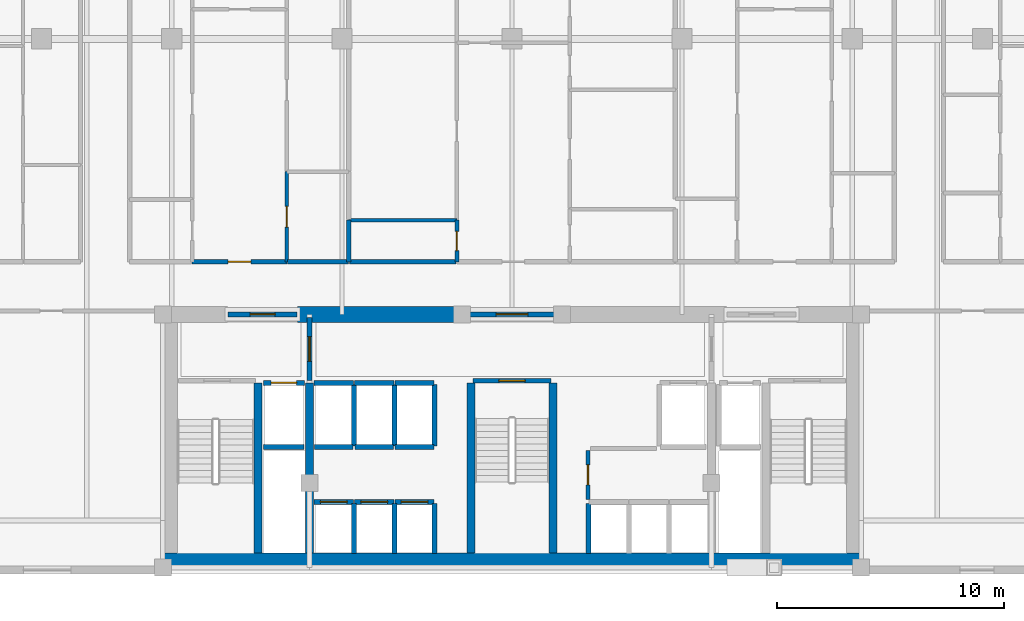
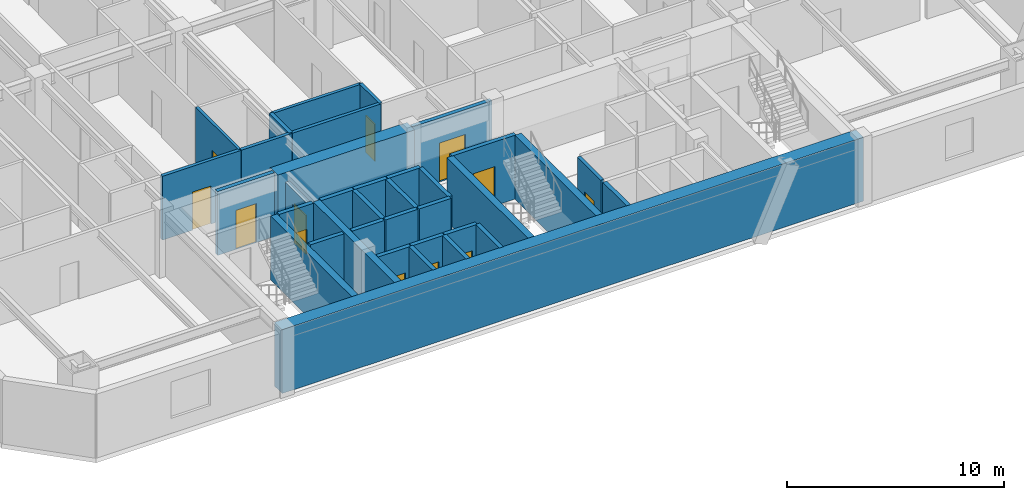
# One storey, part 7 of 14: 36 walls, 12 doors, 12 openings.
"""IFC4 building model written with IfcOpenShell, lengths in metres."""

from ifc_helpers import new_model, si_unit, direction, frame, frame_2d, origin, place, context, subcontext, project, spatial, rectangle, extrude, material, layer, layer_set, type_object, element, fill, save


model = new_model("IFC4")

# Units and contexts
model_context = context("Model", 3, precision=1e-05, world=origin(), true_north=direction((0.0, 1.0)))
body_context = subcontext(model_context, "Body", "Model", "MODEL_VIEW")
ifc_project = project(units=[si_unit("LENGTHUNIT", "METRE"), si_unit("AREAUNIT", "SQUARE_METRE"), si_unit("VOLUMEUNIT", "CUBIC_METRE"), si_unit("PLANEANGLEUNIT", "RADIAN"), si_unit("MASSUNIT", "GRAM", prefix="KILO")], contexts=[model_context])

# Site, building, storey
site_placement = place(None, origin())
site = spatial("IfcSite", under=ifc_project, at=site_placement, CompositionType="ELEMENT")
building_placement = place(site_placement, origin())
building = spatial("IfcBuilding", under=site, at=building_placement, Name="Ventersveld Concourse Tower", CompositionType="ELEMENT")
storey_placement = place(building_placement, frame((0.0, 0.0, 81.050048828125)))
storey = spatial("IfcBuildingStorey", under=building, at=storey_placement, Name="L19", CompositionType="ELEMENT", Elevation=81.050048828125)

# Walls
ifc_material_1 = material(Name="Concrete C60/75", Category="concrete")
ifc_layer_1 = layer(ifc_material_1, 0.35009765625)
ifc_layer_set_1 = layer_set([ifc_layer_1], Name="Concrete C60/75")
wall_type_1 = type_object("IfcWallType", Name="WL-CORE-350L", PredefinedType="SHEAR", material=ifc_layer_set_1)
for number, where, z_axis, x_axis, name in (
    (1, (17.5400390625, 0.919921875, 0.0), (0.0, 0.0, 1.0), (0.0, 1.0, 0.0), "L19 Core Internal Shear Web W-ST1-E"),
    (2, (19.820068359375, 0.919921875, 0.0), (0.0, 0.0, 1.0), (0.0, 1.0, 0.0), "L19 Core Internal Shear Web W-FF1-E"),
    (3, (26.93994140625, 0.919921875, 0.0), (0.0, 0.0, 1.0), (0.0, 1.0, 0.0), "L19 Core Internal Shear Web W-ST3-W"),
    (4, (30.56005859375, 0.919921875, 0.0), (0.0, 0.0, 1.0), (0.0, 1.0, 0.0), "L19 Core Internal Shear Web W-ST3-E"),
):
    element("IfcWall", number, at=place(storey_placement, frame(where, z_axis=z_axis, x_axis=x_axis)), inside=storey, type_object=wall_type_1, Name=name, PredefinedType="SHEAR", context=body_context, shape_type="SweptSolid", body=[
        extrude(rectangle(XDim=7.5, YDim=0.35009765625, at=frame_2d((3.75, 0.0))), origin(), (0.0, 0.0, 1.0), 3.599853515625),
    ])
ifc_layer_2 = layer(ifc_material_1, 0.699951171875)
ifc_layer_set_2 = layer_set([ifc_layer_2], Name="Concrete C60/75")
wall_type_2 = type_object("IfcWallType", Name="WL-CORE-700", PredefinedType="SHEAR", material=ifc_layer_set_2)
wall_1_placement = place(storey_placement, frame((13.25, 0.570068359375, 0.0), z_axis=(0.0, 0.0, 1.0), x_axis=(1.0, 0.0, 0.0)))
element("IfcWall", 5, at=wall_1_placement, inside=storey, type_object=wall_type_2, Name="L19 Rear Core South Shear Wall", PredefinedType="SHEAR", context=body_context, shape_type="SweptSolid", body=[
    extrude(rectangle(XDim=31.0, YDim=0.699951171875, at=frame_2d((15.5, 0.0))), origin(), (0.0, 0.0, 1.0), 3.599853515625),
])
wall_2_placement = place(storey_placement, frame((19.300048828125, 11.449951171875, 0.0), z_axis=(0.0, 0.0, 1.0), x_axis=(1.0, 0.0, 0.0)))
element("IfcWall", 6, at=wall_2_placement, inside=storey, type_object=wall_type_2, Name="L19 Rear Core North Shear Wall NML", PredefinedType="SHEAR", context=body_context, shape_type="SweptSolid", body=[
    extrude(rectangle(XDim=7.300048828125, YDim=0.699951171875, at=frame_2d((3.64990234375, 0.0))), origin(), (0.0, 0.0, 1.0), 3.599853515625),
])

# Wall, opening, door
ifc_material_2 = material(Name="Fire-rated autoclaved aerated masonry blockwork", Category="masonry")
ifc_layer_3 = layer(ifc_material_2, 0.179931640625)
ifc_layer_set_3 = layer_set([ifc_layer_3], Name="Fire-rated autoclaved aerated masonry blockwork")
wall_type_3 = type_object("IfcWallType", Name="WL-CORR-180", PredefinedType="PARTITIONING", material=ifc_layer_set_3)
wall_3_placement = place(storey_placement, frame((32.10009765625, 3.280029296875, 0.0), z_axis=(0.0, 0.0, 1.0), x_axis=(0.0, 1.0, 0.0)))
wall_3 = element("IfcWall", 7, at=wall_3_placement, inside=storey, type_object=wall_type_3, Name="L19 Core Passage Wall SP-L19-CBAY2", PredefinedType="PARTITIONING", context=body_context, shape_type="SweptSolid", body=[
    extrude(rectangle(XDim=2.169921875, YDim=0.179931640625, at=frame_2d((1.0849609375, 0.0))), origin(), (0.0, 0.0, 1.0), 3.599853515625),
])
opening_1_placement = place(wall_3_placement, frame((0.64501953125, 0.0, 0.0)))
opening_1 = element("IfcOpeningElement", 8, at=opening_1_placement, cuts=wall_3, Name="Opening FD5", PredefinedType="OPENING", context=body_context, shape_type="SweptSolid", body=[
    extrude(rectangle(XDim=0.8798828125, YDim=2.050048828125, at=frame_2d((0.43994140625, 1.02490234375))), frame((0.0, 0.10009765625, 0.0), z_axis=(0.0, -1.0, 0.0), x_axis=(1.0, 0.0, 0.0)), (0.0, 0.0, 1.0), 0.199951171875),
])
ifc_material_3 = material(Name="Galvanised painted steel", Category="steel")
door_type_1 = type_object("IfcDoorType", Name="DR-RISER-088", OperationType="NOTDEFINED", PredefinedType="DOOR", material=ifc_material_3)
door_1_placement = place(opening_1_placement, origin())
door_1 = element("IfcDoor", 9, at=door_1_placement, inside=storey, type_object=door_type_1, Name="L19 Core Room Door L19 Core Parcel and Mail Store (CD-L19-0882)", OperationType="SINGLE_SWING_LEFT", OverallHeight=2.050048828125, OverallWidth=0.8798828125, PredefinedType="DOOR", context=body_context, shape_type="SweptSolid", body=[
    extrude(rectangle(XDim=0.8798828125, YDim=2.050048828125, at=frame_2d((0.43994140625, 1.02490234375))), frame((0.0, 0.02490234375, 0.0), z_axis=(0.0, -1.0, 0.0), x_axis=(1.0, 0.0, 0.0)), (0.0, 0.0, 1.0), 0.050048828125),
])
fill(opening_1, door_1)

wall_4_placement = place(storey_placement, frame((14.6416015625, 13.77001953125, 0.0), z_axis=(0.0, 0.0, 1.0), x_axis=(1.0, 0.0, 0.0)))
wall_4 = element("IfcWall", 10, at=wall_4_placement, inside=storey, type_object=wall_type_3, Name="L19 Interior Partition SP-L19-COR-SP-L19-19CW-FOY", PredefinedType="PARTITIONING", context=body_context, shape_type="SweptSolid", body=[
    extrude(rectangle(XDim=4.186279296875, YDim=0.179931640625, at=frame_2d((2.09326171875, 0.0))), origin(), (0.0, 0.0, 1.0), 3.599853515625),
])
opening_2_placement = place(wall_4_placement, frame((1.593017578125, 0.0, 0.0)))
opening_2 = element("IfcOpeningElement", 11, at=opening_2_placement, cuts=wall_4, Name="Opening FD3", PredefinedType="OPENING", context=body_context, shape_type="SweptSolid", body=[
    extrude(rectangle(XDim=1.0, YDim=2.14990234375, at=frame_2d((0.5, 1.074951171875))), frame((0.0, 0.10009765625, 0.0), z_axis=(0.0, -1.0, 0.0), x_axis=(1.0, 0.0, 0.0)), (0.0, 0.0, 1.0), 0.199951171875),
])
ifc_material_4 = material(Name="Solid-core hardwood veneer timber", Category="wood")
door_type_2 = type_object("IfcDoorType", Name="DR-FLAT-100", OperationType="NOTDEFINED", PredefinedType="DOOR", material=ifc_material_4)
door_2_placement = place(opening_2_placement, origin())
door_2 = element("IfcDoor", 12, at=door_2_placement, inside=storey, type_object=door_type_2, Name="L19 Interior Door SP-L19-COR to SP-L19-19CW-FOY (FD-L19-0887)", OperationType="SINGLE_SWING_LEFT", OverallHeight=2.14990234375, OverallWidth=1.0, PredefinedType="DOOR", context=body_context, shape_type="SweptSolid", body=[
    extrude(rectangle(XDim=1.0, YDim=2.14990234375, at=frame_2d((0.5, 1.074951171875))), frame((0.0, 0.02490234375, 0.0), z_axis=(0.0, -1.0, 0.0), x_axis=(1.0, 0.0, 0.0)), (0.0, 0.0, 1.0), 0.050048828125),
])
fill(opening_2, door_2)

# Walls
wall_5_placement = place(storey_placement, frame((18.85791015625, 13.77001953125, 0.0), z_axis=(0.0, 0.0, 1.0), x_axis=(1.0, 0.0, 0.0)))
element("IfcWall", 13, at=wall_5_placement, inside=storey, type_object=wall_type_3, Name="L19 Interior Partition SP-L19-COR-SP-L19-19CW-KIT", PredefinedType="PARTITIONING", context=body_context, shape_type="SweptSolid", body=[
    extrude(rectangle(XDim=2.68701171875, YDim=0.179931640625, at=frame_2d((1.343505859375, 0.0))), origin(), (0.0, 0.0, 1.0), 3.599853515625),
])
wall_6_placement = place(storey_placement, frame((21.574951171875, 13.77001953125, 0.0), z_axis=(0.0, 0.0, 1.0), x_axis=(1.0, 0.0, 0.0)))
element("IfcWall", 14, at=wall_6_placement, inside=storey, type_object=wall_type_3, Name="L19 Interior Partition SP-L19-COR-SP-L19-19CM-BATH", PredefinedType="PARTITIONING", context=body_context, shape_type="SweptSolid", body=[
    extrude(rectangle(XDim=4.709228515625, YDim=0.179931640625, at=frame_2d((2.3544921875, 0.0))), origin(), (0.0, 0.0, 1.0), 3.599853515625),
])
ifc_layer_4 = layer(ifc_material_2, 0.199951171875)
ifc_layer_set_4 = layer_set([ifc_layer_4], Name="Fire-rated autoclaved aerated masonry blockwork")
wall_type_4 = type_object("IfcWallType", Name="WL-DEMISE-200", PredefinedType="PARTITIONING", material=ifc_layer_set_4)
wall_7_placement = place(storey_placement, frame((21.5400390625, 13.764892578125, 0.0), z_axis=(0.0, 0.0, 1.0), x_axis=(0.0, 1.0, 0.0)))
element("IfcWall", 15, at=wall_7_placement, inside=storey, type_object=wall_type_4, Name="L19 Interior Partition SP-L19-19CW-KIT-SP-L19-19CM-BATH", PredefinedType="PARTITIONING", context=body_context, shape_type="SweptSolid", body=[
    extrude(rectangle(XDim=1.840087890625, YDim=0.199951171875, at=frame_2d((0.919921875, 0.0))), origin(), (0.0, 0.0, 1.0), 3.599853515625),
])
ifc_layer_5 = layer(ifc_material_2, 0.219970703125)
ifc_layer_set_5 = layer_set([ifc_layer_5], Name="Fire-rated autoclaved aerated masonry blockwork")
wall_type_5 = type_object("IfcWallType", Name="WL-HOIST-220", PredefinedType="SOLIDWALL", material=ifc_layer_set_5)
wall_8_placement = place(storey_placement, frame((17.800048828125, 5.590087890625, 0.0), z_axis=(0.0, 0.0, 1.0), x_axis=(1.0, 0.0, 0.0)))
element("IfcWall", 16, at=wall_8_placement, inside=storey, type_object=wall_type_5, Name="L19 Lift Hoistway Back Wall FFL-01", PredefinedType="SOLIDWALL", context=body_context, shape_type="SweptSolid", body=[
    extrude(rectangle(XDim=1.780029296875, YDim=0.219970703125, at=frame_2d((0.89013671875, 0.0))), origin(), (0.0, 0.0, 1.0), 3.599853515625),
])

# Wall, opening, door
wall_9_placement = place(storey_placement, frame((17.780029296875, 8.429931640625, 0.0), z_axis=(0.0, 0.0, 1.0), x_axis=(1.0, 0.0, 0.0)))
wall_9 = element("IfcWall", 17, at=wall_9_placement, inside=storey, type_object=wall_type_5, Name="L19 Lift Hoistway Front Wall FFL-01", PredefinedType="SOLIDWALL", context=body_context, shape_type="SweptSolid", body=[
    extrude(rectangle(XDim=1.820068359375, YDim=0.219970703125, at=frame_2d((0.91015625, 0.0))), origin(), (0.0, 0.0, 1.0), 3.599853515625),
])
opening_3_placement = place(wall_9_placement, frame((0.35009765625, 0.0, 0.0)))
opening_3 = element("IfcOpeningElement", 18, at=opening_3_placement, cuts=wall_9, Name="Opening LD1", PredefinedType="OPENING", context=body_context, shape_type="SweptSolid", body=[
    extrude(rectangle(XDim=1.1201171875, YDim=2.25, at=frame_2d((0.56005859375, 1.125))), frame((0.0, 0.1201171875, 0.0), z_axis=(0.0, -1.0, 0.0), x_axis=(1.0, 0.0, 0.0)), (0.0, 0.0, 1.0), 0.239990234375),
])
ifc_material_5 = material(Name="Brushed stainless steel 316", Category="steel")
door_type_3 = type_object("IfcDoorType", Name="LD-FF-112", OperationType="SLIDING_TO_LEFT", PredefinedType="DOOR", material=ifc_material_5)
door_3_placement = place(opening_3_placement, origin())
door_3 = element("IfcDoor", 19, at=door_3_placement, inside=storey, type_object=door_type_3, Name="L19 Lift landing door FFL-01 (LD-L19-FFL-01)", OperationType="SLIDING_TO_LEFT", OverallHeight=2.25, OverallWidth=1.1201171875, PredefinedType="DOOR", context=body_context, shape_type="SweptSolid", body=[
    extrude(rectangle(XDim=1.1201171875, YDim=2.25, at=frame_2d((0.56005859375, 1.125))), frame((0.0, 0.02490234375, 0.0), z_axis=(0.0, -1.0, 0.0), x_axis=(1.0, 0.0, 0.0)), (0.0, 0.0, 1.0), 0.050048828125),
])
fill(opening_3, door_3)

# Wall
wall_10_placement = place(storey_placement, frame((21.780029296875, 0.89990234375, 0.0), z_axis=(0.0, 0.0, 1.0), x_axis=(0.0, 1.0, 0.0)))
element("IfcWall", 20, at=wall_10_placement, inside=storey, type_object=wall_type_5, Name="L19 Lift Hoistway Side Wall PL-01E", PredefinedType="SOLIDWALL", context=body_context, shape_type="SweptSolid", body=[
    extrude(rectangle(XDim=2.2001953125, YDim=0.219970703125, at=frame_2d((1.10009765625, 0.0))), origin(), (0.0, 0.0, 1.0), 3.599853515625),
])

# Wall, opening, door
wall_11_placement = place(storey_placement, frame((20.02001953125, 3.179931640625, 0.0), z_axis=(0.0, 0.0, 1.0), x_axis=(1.0, 0.0, 0.0)))
wall_11 = element("IfcWall", 21, at=wall_11_placement, inside=storey, type_object=wall_type_5, Name="L19 Lift Hoistway Front Wall PL-01", PredefinedType="SOLIDWALL", context=body_context, shape_type="SweptSolid", body=[
    extrude(rectangle(XDim=1.739990234375, YDim=0.219970703125, at=frame_2d((0.8701171875, 0.0))), origin(), (0.0, 0.0, 1.0), 3.599853515625),
])
opening_4_placement = place(wall_11_placement, frame((0.280029296875, 0.0, 0.0)))
opening_4 = element("IfcOpeningElement", 22, at=opening_4_placement, cuts=wall_11, Name="Opening LD2", PredefinedType="OPENING", context=body_context, shape_type="SweptSolid", body=[
    extrude(rectangle(XDim=1.179931640625, YDim=2.199951171875, at=frame_2d((0.58984375, 1.10009765625))), frame((0.0, 0.1201171875, 0.0), z_axis=(0.0, -1.0, 0.0), x_axis=(1.0, 0.0, 0.0)), (0.0, 0.0, 1.0), 0.239990234375),
])
door_type_4 = type_object("IfcDoorType", Name="LD-PAX-118", OperationType="SLIDING_TO_LEFT", PredefinedType="DOOR", material=ifc_material_5)
door_4_placement = place(opening_4_placement, origin())
door_4 = element("IfcDoor", 23, at=door_4_placement, inside=storey, type_object=door_type_4, Name="L19 Lift landing door PL-01 (LD-L19-PL-01)", OperationType="SLIDING_TO_RIGHT", OverallHeight=2.199951171875, OverallWidth=1.179931640625, PredefinedType="DOOR", context=body_context, shape_type="SweptSolid", body=[
    extrude(rectangle(XDim=1.179931640625, YDim=2.199951171875, at=frame_2d((0.58984375, 1.10009765625))), frame((0.0, 0.02490234375, 0.0), z_axis=(0.0, -1.0, 0.0), x_axis=(1.0, 0.0, 0.0)), (0.0, 0.0, 1.0), 0.050048828125),
])
fill(opening_4, door_4)

# Wall
wall_12_placement = place(storey_placement, frame((23.56005859375, 0.89990234375, 0.0), z_axis=(0.0, 0.0, 1.0), x_axis=(0.0, 1.0, 0.0)))
element("IfcWall", 24, at=wall_12_placement, inside=storey, type_object=wall_type_5, Name="L19 Lift Hoistway Side Wall PL-02E", PredefinedType="SOLIDWALL", context=body_context, shape_type="SweptSolid", body=[
    extrude(rectangle(XDim=2.2001953125, YDim=0.219970703125, at=frame_2d((1.10009765625, 0.0))), origin(), (0.0, 0.0, 1.0), 3.599853515625),
])

# Wall, opening, door
wall_13_placement = place(storey_placement, frame((21.800048828125, 3.179931640625, 0.0), z_axis=(0.0, 0.0, 1.0), x_axis=(1.0, 0.0, 0.0)))
wall_13 = element("IfcWall", 25, at=wall_13_placement, inside=storey, type_object=wall_type_5, Name="L19 Lift Hoistway Front Wall PL-02", PredefinedType="SOLIDWALL", context=body_context, shape_type="SweptSolid", body=[
    extrude(rectangle(XDim=1.739990234375, YDim=0.219970703125, at=frame_2d((0.8701171875, 0.0))), origin(), (0.0, 0.0, 1.0), 3.599853515625),
])
opening_5_placement = place(wall_13_placement, frame((0.280029296875, 0.0, 0.0)))
opening_5 = element("IfcOpeningElement", 26, at=opening_5_placement, cuts=wall_13, Name="Opening LD2", PredefinedType="OPENING", context=body_context, shape_type="SweptSolid", body=[
    extrude(rectangle(XDim=1.179931640625, YDim=2.199951171875, at=frame_2d((0.58984375, 1.10009765625))), frame((0.0, 0.1201171875, 0.0), z_axis=(0.0, -1.0, 0.0), x_axis=(1.0, 0.0, 0.0)), (0.0, 0.0, 1.0), 0.239990234375),
])
door_5_placement = place(opening_5_placement, origin())
door_5 = element("IfcDoor", 27, at=door_5_placement, inside=storey, type_object=door_type_4, Name="L19 Lift landing door PL-02 (LD-L19-PL-02)", OperationType="SLIDING_TO_LEFT", OverallHeight=2.199951171875, OverallWidth=1.179931640625, PredefinedType="DOOR", context=body_context, shape_type="SweptSolid", body=[
    extrude(rectangle(XDim=1.179931640625, YDim=2.199951171875, at=frame_2d((0.58984375, 1.10009765625))), frame((0.0, 0.02490234375, 0.0), z_axis=(0.0, -1.0, 0.0), x_axis=(1.0, 0.0, 0.0)), (0.0, 0.0, 1.0), 0.050048828125),
])
fill(opening_5, door_5)

# Wall
wall_14_placement = place(storey_placement, frame((25.340087890625, 0.89990234375, 0.0), z_axis=(0.0, 0.0, 1.0), x_axis=(0.0, 1.0, 0.0)))
element("IfcWall", 28, at=wall_14_placement, inside=storey, type_object=wall_type_5, Name="L19 Lift Hoistway Side Wall PL-03E", PredefinedType="SOLIDWALL", context=body_context, shape_type="SweptSolid", body=[
    extrude(rectangle(XDim=2.2001953125, YDim=0.219970703125, at=frame_2d((1.10009765625, 0.0))), origin(), (0.0, 0.0, 1.0), 3.599853515625),
])

# Wall, opening, door
wall_15_placement = place(storey_placement, frame((23.580078125, 3.179931640625, 0.0), z_axis=(0.0, 0.0, 1.0), x_axis=(1.0, 0.0, 0.0)))
wall_15 = element("IfcWall", 29, at=wall_15_placement, inside=storey, type_object=wall_type_5, Name="L19 Lift Hoistway Front Wall PL-03", PredefinedType="SOLIDWALL", context=body_context, shape_type="SweptSolid", body=[
    extrude(rectangle(XDim=1.739990234375, YDim=0.219970703125, at=frame_2d((0.8701171875, 0.0))), origin(), (0.0, 0.0, 1.0), 3.599853515625),
])
opening_6_placement = place(wall_15_placement, frame((0.280029296875, 0.0, 0.0)))
opening_6 = element("IfcOpeningElement", 30, at=opening_6_placement, cuts=wall_15, Name="Opening LD2", PredefinedType="OPENING", context=body_context, shape_type="SweptSolid", body=[
    extrude(rectangle(XDim=1.179931640625, YDim=2.199951171875, at=frame_2d((0.58984375, 1.10009765625))), frame((0.0, 0.1201171875, 0.0), z_axis=(0.0, -1.0, 0.0), x_axis=(1.0, 0.0, 0.0)), (0.0, 0.0, 1.0), 0.239990234375),
])
door_6_placement = place(opening_6_placement, origin())
door_6 = element("IfcDoor", 31, at=door_6_placement, inside=storey, type_object=door_type_4, Name="L19 Lift landing door PL-03 (LD-L19-PL-03)", OperationType="SLIDING_TO_RIGHT", OverallHeight=2.199951171875, OverallWidth=1.179931640625, PredefinedType="DOOR", context=body_context, shape_type="SweptSolid", body=[
    extrude(rectangle(XDim=1.179931640625, YDim=2.199951171875, at=frame_2d((0.58984375, 1.10009765625))), frame((0.0, 0.02490234375, 0.0), z_axis=(0.0, -1.0, 0.0), x_axis=(1.0, 0.0, 0.0)), (0.0, 0.0, 1.0), 0.050048828125),
])
fill(opening_6, door_6)

# Walls
wall_16_placement = place(storey_placement, frame((32.1201171875, 0.89990234375, 0.0), z_axis=(0.0, 0.0, 1.0), x_axis=(0.0, 1.0, 0.0)))
element("IfcWall", 32, at=wall_16_placement, inside=storey, type_object=wall_type_5, Name="L19 Lift Hoistway Side Wall PM-01W", PredefinedType="SOLIDWALL", context=body_context, shape_type="SweptSolid", body=[
    extrude(rectangle(XDim=2.2001953125, YDim=0.219970703125, at=frame_2d((1.10009765625, 0.0))), origin(), (0.0, 0.0, 1.0), 3.599853515625),
])
wall_17_placement = place(storey_placement, frame((20.0400390625, 5.590087890625, 0.0), z_axis=(0.0, 0.0, 1.0), x_axis=(1.0, 0.0, 0.0)))
element("IfcWall", 33, at=wall_17_placement, inside=storey, type_object=wall_type_5, Name="L19 Lift Hoistway Back Wall PH-01", PredefinedType="SOLIDWALL", context=body_context, shape_type="SweptSolid", body=[
    extrude(rectangle(XDim=1.699951171875, YDim=0.219970703125, at=frame_2d((0.85009765625, 0.0))), origin(), (0.0, 0.0, 1.0), 3.599853515625),
])
wall_18_placement = place(storey_placement, frame((21.780029296875, 5.64990234375, 0.0), z_axis=(0.0, 0.0, 1.0), x_axis=(0.0, 1.0, 0.0)))
element("IfcWall", 34, at=wall_18_placement, inside=storey, type_object=wall_type_5, Name="L19 Lift Hoistway Side Wall PH-01E", PredefinedType="SOLIDWALL", context=body_context, shape_type="SweptSolid", body=[
    extrude(rectangle(XDim=2.7001953125, YDim=0.219970703125, at=frame_2d((1.35009765625, 0.0))), origin(), (0.0, 0.0, 1.0), 3.599853515625),
])
wall_19_placement = place(storey_placement, frame((20.02001953125, 8.429931640625, 0.0), z_axis=(0.0, 0.0, 1.0), x_axis=(1.0, 0.0, 0.0)))
element("IfcWall", 35, at=wall_19_placement, inside=storey, type_object=wall_type_5, Name="L19 Lift Hoistway Front Wall PH-01", PredefinedType="SOLIDWALL", context=body_context, shape_type="SweptSolid", body=[
    extrude(rectangle(XDim=1.739990234375, YDim=0.219970703125, at=frame_2d((0.8701171875, 0.0))), origin(), (0.0, 0.0, 1.0), 3.599853515625),
])
wall_20_placement = place(storey_placement, frame((21.820068359375, 5.590087890625, 0.0), z_axis=(0.0, 0.0, 1.0), x_axis=(1.0, 0.0, 0.0)))
element("IfcWall", 36, at=wall_20_placement, inside=storey, type_object=wall_type_5, Name="L19 Lift Hoistway Back Wall PH-02", PredefinedType="SOLIDWALL", context=body_context, shape_type="SweptSolid", body=[
    extrude(rectangle(XDim=1.699951171875, YDim=0.219970703125, at=frame_2d((0.85009765625, 0.0))), origin(), (0.0, 0.0, 1.0), 3.599853515625),
])
wall_21_placement = place(storey_placement, frame((23.56005859375, 5.64990234375, 0.0), z_axis=(0.0, 0.0, 1.0), x_axis=(0.0, 1.0, 0.0)))
element("IfcWall", 37, at=wall_21_placement, inside=storey, type_object=wall_type_5, Name="L19 Lift Hoistway Side Wall PH-02E", PredefinedType="SOLIDWALL", context=body_context, shape_type="SweptSolid", body=[
    extrude(rectangle(XDim=2.7001953125, YDim=0.219970703125, at=frame_2d((1.35009765625, 0.0))), origin(), (0.0, 0.0, 1.0), 3.599853515625),
])
wall_22_placement = place(storey_placement, frame((21.800048828125, 8.429931640625, 0.0), z_axis=(0.0, 0.0, 1.0), x_axis=(1.0, 0.0, 0.0)))
element("IfcWall", 38, at=wall_22_placement, inside=storey, type_object=wall_type_5, Name="L19 Lift Hoistway Front Wall PH-02", PredefinedType="SOLIDWALL", context=body_context, shape_type="SweptSolid", body=[
    extrude(rectangle(XDim=1.739990234375, YDim=0.219970703125, at=frame_2d((0.8701171875, 0.0))), origin(), (0.0, 0.0, 1.0), 3.599853515625),
])
wall_23_placement = place(storey_placement, frame((23.60009765625, 5.590087890625, 0.0), z_axis=(0.0, 0.0, 1.0), x_axis=(1.0, 0.0, 0.0)))
element("IfcWall", 39, at=wall_23_placement, inside=storey, type_object=wall_type_5, Name="L19 Lift Hoistway Back Wall PH-03", PredefinedType="SOLIDWALL", context=body_context, shape_type="SweptSolid", body=[
    extrude(rectangle(XDim=1.699951171875, YDim=0.219970703125, at=frame_2d((0.85009765625, 0.0))), origin(), (0.0, 0.0, 1.0), 3.599853515625),
])
wall_24_placement = place(storey_placement, frame((25.340087890625, 5.64990234375, 0.0), z_axis=(0.0, 0.0, 1.0), x_axis=(0.0, 1.0, 0.0)))
element("IfcWall", 40, at=wall_24_placement, inside=storey, type_object=wall_type_5, Name="L19 Lift Hoistway Side Wall PH-03E", PredefinedType="SOLIDWALL", context=body_context, shape_type="SweptSolid", body=[
    extrude(rectangle(XDim=2.7001953125, YDim=0.219970703125, at=frame_2d((1.35009765625, 0.0))), origin(), (0.0, 0.0, 1.0), 3.599853515625),
])
wall_25_placement = place(storey_placement, frame((23.580078125, 8.429931640625, 0.0), z_axis=(0.0, 0.0, 1.0), x_axis=(1.0, 0.0, 0.0)))
element("IfcWall", 41, at=wall_25_placement, inside=storey, type_object=wall_type_5, Name="L19 Lift Hoistway Front Wall PH-03", PredefinedType="SOLIDWALL", context=body_context, shape_type="SweptSolid", body=[
    extrude(rectangle(XDim=1.739990234375, YDim=0.219970703125, at=frame_2d((0.8701171875, 0.0))), origin(), (0.0, 0.0, 1.0), 3.599853515625),
])

# Wall, opening, door
wall_26_placement = place(storey_placement, frame((27.0400390625, 8.52001953125, 0.0), z_axis=(0.0, 0.0, 1.0), x_axis=(1.0, 0.0, 0.0)))
wall_26 = element("IfcWall", 42, at=wall_26_placement, inside=storey, type_object=wall_type_5, Name="L19 Escape Stair ST03 Fire Wall", PredefinedType="SOLIDWALL", context=body_context, shape_type="SweptSolid", body=[
    extrude(rectangle(XDim=3.419921875, YDim=0.219970703125, at=frame_2d((1.7099609375, 0.0))), origin(), (0.0, 0.0, 1.0), 3.599853515625),
])
opening_7_placement = place(wall_26_placement, frame((1.135009765625, 0.0, 0.0)))
opening_7 = element("IfcOpeningElement", 43, at=opening_7_placement, cuts=wall_26, Name="Opening FD1", PredefinedType="OPENING", context=body_context, shape_type="SweptSolid", body=[
    extrude(rectangle(XDim=1.14990234375, YDim=2.199951171875, at=frame_2d((0.574951171875, 1.10009765625))), frame((0.0, 0.1201171875, 0.0), z_axis=(0.0, -1.0, 0.0), x_axis=(1.0, 0.0, 0.0)), (0.0, 0.0, 1.0), 0.239990234375),
])
door_type_5 = type_object("IfcDoorType", Name="DR-STAIR-115", OperationType="NOTDEFINED", PredefinedType="DOOR", material=ifc_material_3)
door_7_placement = place(opening_7_placement, origin())
door_7 = element("IfcDoor", 44, at=door_7_placement, inside=storey, type_object=door_type_5, Name="L19 Escape Stair Door ST03 (SD-L19-0876)", OperationType="SINGLE_SWING_LEFT", OverallHeight=2.199951171875, OverallWidth=1.14990234375, PredefinedType="DOOR", context=body_context, shape_type="SweptSolid", body=[
    extrude(rectangle(XDim=1.14990234375, YDim=2.199951171875, at=frame_2d((0.574951171875, 1.10009765625))), frame((0.0, 0.02490234375, 0.0), z_axis=(0.0, -1.0, 0.0), x_axis=(1.0, 0.0, 0.0)), (0.0, 0.0, 1.0), 0.050048828125),
])
fill(opening_7, door_7)

wall_27_placement = place(storey_placement, frame((19.820068359375, 8.52001953125, 0.0), z_axis=(0.0, 0.0, 1.0), x_axis=(0.0, 1.0, 0.0)))
wall_27 = element("IfcWall", 45, at=wall_27_placement, inside=storey, type_object=wall_type_5, Name="L19 Firefighting Lobby Smoke-Stop Wall FFLW-SEP", PredefinedType="SOLIDWALL", context=body_context, shape_type="SweptSolid", body=[
    extrude(rectangle(XDim=2.800048828125, YDim=0.219970703125, at=frame_2d((1.39990234375, 0.0))), origin(), (0.0, 0.0, 1.0), 3.055419921875),
])
opening_8_placement = place(wall_27_placement, frame((0.85009765625, 0.0, 0.0)))
opening_8 = element("IfcOpeningElement", 46, at=opening_8_placement, cuts=wall_27, Name="Opening FD2", PredefinedType="OPENING", context=body_context, shape_type="SweptSolid", body=[
    extrude(rectangle(XDim=1.10009765625, YDim=2.199951171875, at=frame_2d((0.550048828125, 1.10009765625))), frame((0.0, 0.1201171875, 0.0), z_axis=(0.0, -1.0, 0.0), x_axis=(1.0, 0.0, 0.0)), (0.0, 0.0, 1.0), 0.239990234375),
])
door_type_6 = type_object("IfcDoorType", Name="DR-FFL-110", OperationType="NOTDEFINED", PredefinedType="DOOR", material=ifc_material_3)
door_8_placement = place(opening_8_placement, origin())
door_8 = element("IfcDoor", 47, at=door_8_placement, inside=storey, type_object=door_type_6, Name="L19 Firefighting Lobby Door FFLW-SEP (FD-L19-0877)", OperationType="SINGLE_SWING_LEFT", OverallHeight=2.199951171875, OverallWidth=1.10009765625, PredefinedType="DOOR", context=body_context, shape_type="SweptSolid", body=[
    extrude(rectangle(XDim=1.10009765625, YDim=2.199951171875, at=frame_2d((0.550048828125, 1.10009765625))), frame((0.0, 0.02490234375, 0.0), z_axis=(0.0, -1.0, 0.0), x_axis=(1.0, 0.0, 0.0)), (0.0, 0.0, 1.0), 0.050048828125),
])
fill(opening_8, door_8)

wall_28_placement = place(storey_placement, frame((16.22998046875, 11.449951171875, 0.0), z_axis=(0.0, 0.0, 1.0), x_axis=(1.0, 0.0, 0.0)))
wall_28 = element("IfcWall", 48, at=wall_28_placement, inside=storey, type_object=wall_type_5, Name="L19 Core North Fire Portal FFLW-OUT", PredefinedType="SOLIDWALL", context=body_context, shape_type="SweptSolid", body=[
    extrude(rectangle(XDim=3.0400390625, YDim=0.219970703125, at=frame_2d((1.52001953125, 0.0))), origin(), (0.0, 0.0, 1.0), 3.599853515625),
])
opening_9_placement = place(wall_28_placement, frame((0.969970703125, 0.0, 0.0)))
opening_9 = element("IfcOpeningElement", 49, at=opening_9_placement, cuts=wall_28, Name="Opening FD2", PredefinedType="OPENING", context=body_context, shape_type="SweptSolid", body=[
    extrude(rectangle(XDim=1.10009765625, YDim=2.199951171875, at=frame_2d((0.550048828125, 1.10009765625))), frame((0.0, 0.1201171875, 0.0), z_axis=(0.0, -1.0, 0.0), x_axis=(1.0, 0.0, 0.0)), (0.0, 0.0, 1.0), 0.239990234375),
])
door_9_placement = place(opening_9_placement, origin())
door_9 = element("IfcDoor", 50, at=door_9_placement, inside=storey, type_object=door_type_6, Name="L19 Core Lobby Fire Door FFLW-OUT (FD-L19-0879)", OperationType="SINGLE_SWING_RIGHT", OverallHeight=2.199951171875, OverallWidth=1.10009765625, PredefinedType="DOOR", context=body_context, shape_type="SweptSolid", body=[
    extrude(rectangle(XDim=1.10009765625, YDim=2.199951171875, at=frame_2d((0.550048828125, 1.10009765625))), frame((0.0, 0.02490234375, 0.0), z_axis=(0.0, -1.0, 0.0), x_axis=(1.0, 0.0, 0.0)), (0.0, 0.0, 1.0), 0.050048828125),
])
fill(opening_9, door_9)

wall_29_placement = place(storey_placement, frame((26.6298828125, 11.449951171875, 0.0), z_axis=(0.0, 0.0, 1.0), x_axis=(1.0, 0.0, 0.0)))
wall_29 = element("IfcWall", 51, at=wall_29_placement, inside=storey, type_object=wall_type_5, Name="L19 Core North Fire Portal PLOB-OUT", PredefinedType="SOLIDWALL", context=body_context, shape_type="SweptSolid", body=[
    extrude(rectangle(XDim=4.240234375, YDim=0.219970703125, at=frame_2d((2.1201171875, 0.0))), origin(), (0.0, 0.0, 1.0), 3.599853515625),
])
opening_10_placement = place(wall_29_placement, frame((1.419921875, 0.0, 0.0)))
opening_10 = element("IfcOpeningElement", 52, at=opening_10_placement, cuts=wall_29, Name="Opening FD4", PredefinedType="OPENING", context=body_context, shape_type="SweptSolid", body=[
    extrude(rectangle(XDim=1.39990234375, YDim=2.199951171875, at=frame_2d((0.699951171875, 1.10009765625))), frame((0.0, 0.1201171875, 0.0), z_axis=(0.0, -1.0, 0.0), x_axis=(1.0, 0.0, 0.0)), (0.0, 0.0, 1.0), 0.239990234375),
])
door_type_7 = type_object("IfcDoorType", Name="DR-PLANT-140", OperationType="DOUBLE_DOOR_SINGLE_SWING", PredefinedType="DOOR", material=ifc_material_3)
door_10_placement = place(opening_10_placement, origin())
door_10 = element("IfcDoor", 53, at=door_10_placement, inside=storey, type_object=door_type_7, Name="L19 Core Lobby Fire Door PLOB-OUT (FD-L19-0880)", OperationType="DOUBLE_DOOR_SINGLE_SWING", OverallHeight=2.199951171875, OverallWidth=1.39990234375, PredefinedType="DOOR", context=body_context, shape_type="SweptSolid", body=[
    extrude(rectangle(XDim=1.39990234375, YDim=2.199951171875, at=frame_2d((0.699951171875, 1.10009765625))), frame((0.0, 0.02490234375, 0.0), z_axis=(0.0, -1.0, 0.0), x_axis=(1.0, 0.0, 0.0)), (0.0, 0.0, 1.0), 0.050048828125),
])
fill(opening_10, door_10)

ifc_material_6 = material(Name="Autoclaved aerated masonry blockwork", Category="masonry")
ifc_layer_6 = layer(ifc_material_6, 0.14990234375)
ifc_layer_set_6 = layer_set([ifc_layer_6], Name="Autoclaved aerated masonry blockwork")
wall_type_6 = type_object("IfcWallType", Name="WL-INT-150", PredefinedType="PARTITIONING", material=ifc_layer_set_6)
wall_30_placement = place(storey_placement, frame((18.82275390625, 13.764892578125, 0.0), z_axis=(0.0, 0.0, 1.0), x_axis=(0.0, 1.0, 0.0)))
wall_30 = element("IfcWall", 54, at=wall_30_placement, inside=storey, type_object=wall_type_6, Name="L19 Interior Partition SP-L19-19CW-FOY-SP-L19-19CW-KIT", PredefinedType="PARTITIONING", context=body_context, shape_type="SweptSolid", body=[
    extrude(rectangle(XDim=3.973876953125, YDim=0.14990234375, at=frame_2d((1.98681640625, 0.0))), origin(), (0.0, 0.0, 1.0), 3.599853515625),
])
opening_11_placement = place(wall_30_placement, frame((1.52685546875, 0.0, 0.0)))
opening_11 = element("IfcOpeningElement", 55, at=opening_11_placement, cuts=wall_30, Name="Opening ID1", PredefinedType="OPENING", context=body_context, shape_type="SweptSolid", body=[
    extrude(rectangle(XDim=0.919921875, YDim=2.10009765625, at=frame_2d((0.4599609375, 1.050048828125))), frame((0.0, 0.0849609375, 0.0), z_axis=(0.0, -1.0, 0.0), x_axis=(1.0, 0.0, 0.0)), (0.0, 0.0, 1.0), 0.169921875),
])
door_type_8 = type_object("IfcDoorType", Name="DR-ROOM-092", OperationType="NOTDEFINED", PredefinedType="DOOR", material=ifc_material_4)
door_11_placement = place(opening_11_placement, origin())
door_11 = element("IfcDoor", 56, at=door_11_placement, inside=storey, type_object=door_type_8, Name="L19 Interior Door SP-L19-19CW-FOY to SP-L19-19CW-KIT (D-L19-0914)", OperationType="SINGLE_SWING_RIGHT", OverallHeight=2.10009765625, OverallWidth=0.919921875, PredefinedType="DOOR", context=body_context, shape_type="SweptSolid", body=[
    extrude(rectangle(XDim=0.919921875, YDim=2.10009765625, at=frame_2d((0.4599609375, 1.050048828125))), frame((0.0, 0.02490234375, 0.0), z_axis=(0.0, -1.0, 0.0), x_axis=(1.0, 0.0, 0.0)), (0.0, 0.0, 1.0), 0.050048828125),
])
fill(opening_11, door_11)

ifc_layer_7 = layer(ifc_material_6, 0.1650390625)
ifc_layer_set_7 = layer_set([ifc_layer_7], Name="Autoclaved aerated masonry blockwork")
wall_type_7 = type_object("IfcWallType", Name="WL-WET-165", PredefinedType="PLUMBINGWALL", material=ifc_layer_set_7)
wall_31_placement = place(storey_placement, frame((26.319091796875, 13.764892578125, 0.0), z_axis=(0.0, 0.0, 1.0), x_axis=(0.0, 1.0, 0.0)))
wall_31 = element("IfcWall", 57, at=wall_31_placement, inside=storey, type_object=wall_type_7, Name="L19 Interior Partition SP-L19-19CM-FOY-SP-L19-19CM-BATH", PredefinedType="PLUMBINGWALL", context=body_context, shape_type="SweptSolid", body=[
    extrude(rectangle(XDim=1.840087890625, YDim=0.1650390625, at=frame_2d((0.919921875, 0.0))), origin(), (0.0, 0.0, 1.0), 3.599853515625),
])
opening_12_placement = place(wall_31_placement, frame((0.4951171875, 0.0, 0.0)))
opening_12 = element("IfcOpeningElement", 58, at=opening_12_placement, cuts=wall_31, Name="Opening ID2", PredefinedType="OPENING", context=body_context, shape_type="SweptSolid", body=[
    extrude(rectangle(XDim=0.85009765625, YDim=2.10009765625, at=frame_2d((0.425048828125, 1.050048828125))), frame((0.0, 0.092529296875, 0.0), z_axis=(0.0, -1.0, 0.0), x_axis=(1.0, 0.0, 0.0)), (0.0, 0.0, 1.0), 0.18505859375),
])
door_type_9 = type_object("IfcDoorType", Name="DR-BATH-085", OperationType="NOTDEFINED", PredefinedType="DOOR", material=ifc_material_4)
door_12_placement = place(opening_12_placement, origin())
door_12 = element("IfcDoor", 59, at=door_12_placement, inside=storey, type_object=door_type_9, Name="L19 Interior Door SP-L19-19CM-FOY to SP-L19-19CM-BATH (D-L19-0932)", OperationType="SINGLE_SWING_RIGHT", OverallHeight=2.10009765625, OverallWidth=0.85009765625, PredefinedType="DOOR", context=body_context, shape_type="SweptSolid", body=[
    extrude(rectangle(XDim=0.85009765625, YDim=2.10009765625, at=frame_2d((0.425048828125, 1.050048828125))), frame((0.0, 0.02490234375, 0.0), z_axis=(0.0, -1.0, 0.0), x_axis=(1.0, 0.0, 0.0)), (0.0, 0.0, 1.0), 0.050048828125),
])
fill(opening_12, door_12)

# Wall
wall_32_placement = place(storey_placement, frame((21.534912109375, 15.60009765625, 0.0), z_axis=(0.0, 0.0, 1.0), x_axis=(1.0, 0.0, 0.0)))
element("IfcWall", 60, at=wall_32_placement, inside=storey, type_object=wall_type_7, Name="L19 Interior Partition SP-L19-19CM-BATH-SP-L19-19CM-SEML0", PredefinedType="PLUMBINGWALL", context=body_context, shape_type="SweptSolid", body=[
    extrude(rectangle(XDim=4.789306640625, YDim=0.1650390625, at=frame_2d((2.39453125, 0.0))), origin(), (0.0, 0.0, 1.0), 3.599853515625),
])

save(model, "model.ifc")
